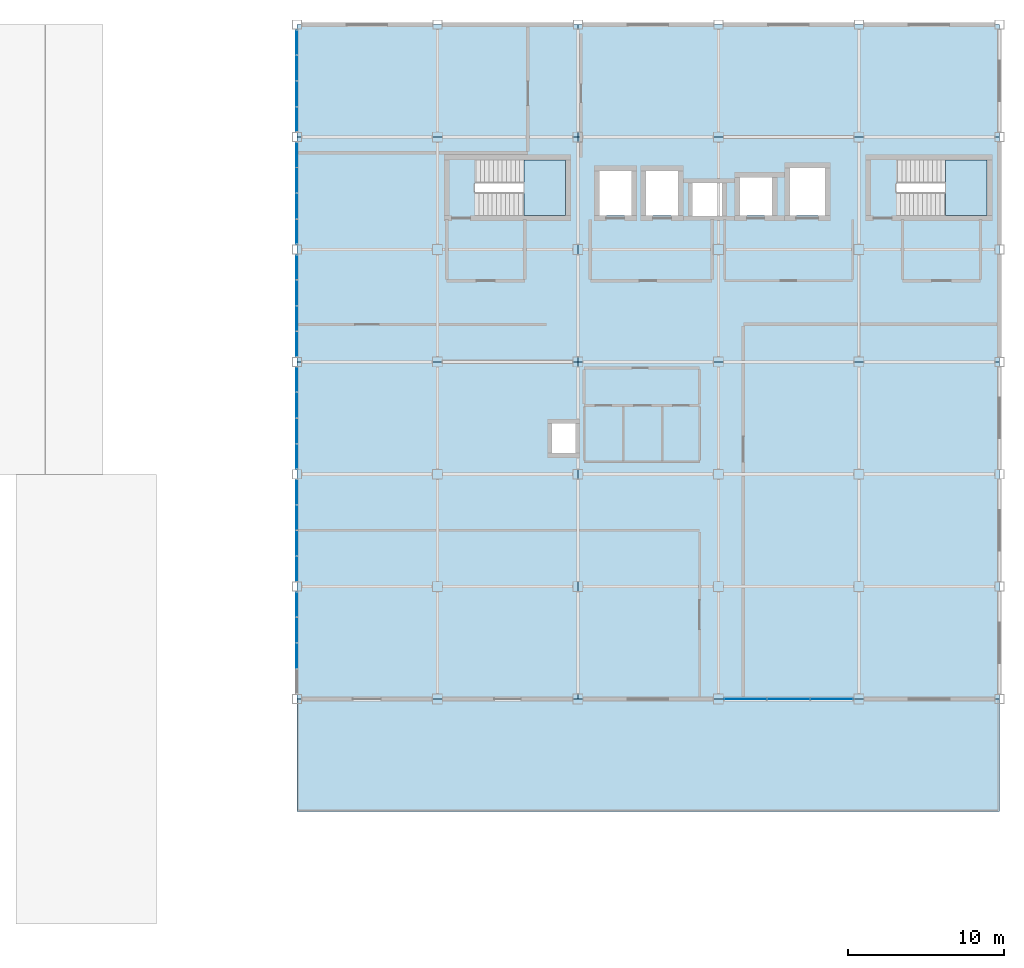
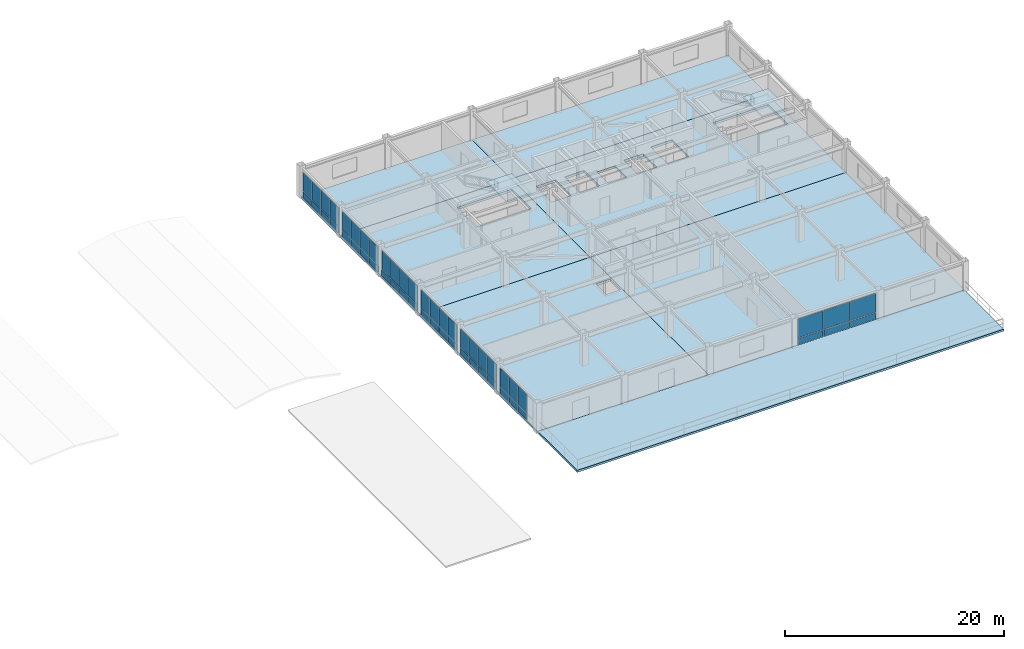
# One storey, part 25 of 34: 52 plates, 9 slabs, 9 elements without a shape of their own.
"""IFC4 building model written with IfcOpenShell, lengths in metres."""

import ifcopenshell
import ifcopenshell.guid

model = None  # the IFC model being written
_history = None  # IfcOwnerHistory: only IFC2X3 demands one
_inside = {}  # id of a spatial element -> (the spatial element, [elements in it])
_under = {}  # id of a project, library or spatial element -> (it, [spatial elements below it])
_declared = {}  # id of a project -> (the project, [libraries it declares])
_typed = {}  # id of a type object -> (the type object, [elements of that type])
_made_of = {}  # id of a material, layer set ... -> (it, [elements and type objects made of it])


def new_model(schema):
    """Start an empty IFC model of exactly this schema.

    Asked for "IFC4X3", IfcOpenShell would pick the latest addendum, in which some entities
    have other attributes; the version numbers below select the first issue.
    IFC2X3 requires an IfcOwnerHistory on every rooted entity: one is made here for all.
    """
    global model, _history
    if schema == "IFC4X3":
        model = ifcopenshell.file(schema_version=(4, 3, 0, 0))
    else:
        model = ifcopenshell.file(schema=schema)
    _inside.clear()
    _under.clear()
    _declared.clear()
    _typed.clear()
    _made_of.clear()
    _history = None
    if model.schema == "IFC2X3":
        org = make("IfcOrganization", Name="unknown")
        user = make(
            "IfcPersonAndOrganization",
            ThePerson=make("IfcPerson", FamilyName="unknown"),
            TheOrganization=org,
        )
        app = make(
            "IfcApplication",
            ApplicationDeveloper=org,
            Version="unknown",
            ApplicationFullName="unknown",
            ApplicationIdentifier="unknown",
        )
        _history = make(
            "IfcOwnerHistory",
            OwningUser=user,
            OwningApplication=app,
            ChangeAction="ADDED",
            CreationDate=0,
        )
    return model


def make(cls, **values):
    """One entity of the class cls with the attributes given. An attribute that is None is left unset."""
    return model.create_entity(
        cls, **{name: value for name, value in values.items() if value is not None}
    )


def rooted(cls, **values):
    """An entity with a GlobalId (a new one), such as an element, a storey or a relation."""
    return make(cls, GlobalId=ifcopenshell.guid.new(), OwnerHistory=_history, **values)


def si_unit(unit_type, name, prefix=None):
    """IfcSIUnit, for example si_unit("LENGTHUNIT", "METRE", prefix="MILLI")."""
    return make("IfcSIUnit", UnitType=unit_type, Prefix=prefix, Name=name)


def assignment(units):
    """IfcUnitAssignment: the units of a project."""
    return None if units is None else make("IfcUnitAssignment", Units=units)


def point(xyz):
    """IfcCartesianPoint."""
    return None if xyz is None else make("IfcCartesianPoint", Coordinates=xyz)


def direction(xyz):
    """IfcDirection."""
    return None if xyz is None else make("IfcDirection", DirectionRatios=xyz)


def frame(location, z_axis=None, x_axis=None):
    """IfcAxis2Placement3D, a coordinate frame: its origin and axes. An axis left out is left unset."""
    return make(
        "IfcAxis2Placement3D",
        Location=point(location),
        Axis=direction(z_axis),
        RefDirection=direction(x_axis),
    )


def frame_2d(location, x_axis=None):
    """IfcAxis2Placement2D, a coordinate frame in the plane: its origin and x axis."""
    return make(
        "IfcAxis2Placement2D", Location=point(location), RefDirection=direction(x_axis)
    )


def origin():
    """The frame at (0, 0, 0) with its axes left unset."""
    return frame((0.0, 0.0, 0.0))


def origin_2d():
    """The frame at (0, 0) in the plane with its x axis left unset."""
    return frame_2d((0.0, 0.0))


def place(relative_to, where):
    """IfcLocalPlacement: puts the frame where relative to a parent placement (None: the world)."""
    return make(
        "IfcLocalPlacement", PlacementRelTo=relative_to, RelativePlacement=where
    )


def context(
    kind, dimensions, precision=None, world=None, true_north=None, identifier=None
):
    """IfcGeometricRepresentationContext, for example the 3D "Model" context."""
    return make(
        "IfcGeometricRepresentationContext",
        ContextIdentifier=identifier,
        ContextType=kind,
        CoordinateSpaceDimension=dimensions,
        Precision=precision,
        WorldCoordinateSystem=world,
        TrueNorth=true_north,
    )


def subcontext(parent, identifier, kind, view, scale=None):
    """IfcGeometricRepresentationSubContext, for example "Body" below "Model"."""
    return make(
        "IfcGeometricRepresentationSubContext",
        ContextIdentifier=identifier,
        ContextType=kind,
        ParentContext=parent,
        TargetScale=scale,
        TargetView=view,
    )


def project(units=None, contexts=None):
    """IfcProject with its units and contexts."""
    return rooted(
        "IfcProject",
        Name="project",
        RepresentationContexts=contexts,
        UnitsInContext=assignment(units),
    )


def spatial(cls, under=None, at=None, **own):
    """A site, building, storey or space (cls), placed at a placement, below another one or the project."""
    s = rooted(cls, ObjectPlacement=at, **own)
    if under is not None:
        _under.setdefault(under.id(), (under, []))[1].append(s)
    return s


def polyline(points):
    """IfcPolyline through the points."""
    return make("IfcPolyline", Points=[point(p) for p in points])


def profile(cls, at=None, kind="AREA", **sizes):
    """A parametric profile (cls). Its sizes go by their IFC names, for example OverallWidth=200.0."""
    return make(cls, ProfileType=kind, Position=at, **sizes)


def rectangle(**sizes):
    """IfcRectangleProfileDef."""
    return profile("IfcRectangleProfileDef", **sizes)


def outline(outer, holes=None, kind="AREA"):
    """IfcArbitraryClosedProfileDef: a profile drawn as a closed curve; with holes, ...WithVoids."""
    if holes is None:
        return make("IfcArbitraryClosedProfileDef", ProfileType=kind, OuterCurve=outer)
    return make(
        "IfcArbitraryProfileDefWithVoids",
        ProfileType=kind,
        OuterCurve=outer,
        InnerCurves=holes,
    )


def extrude(swept, where, along, depth):
    """IfcExtrudedAreaSolid: the profile swept, set in the frame where, extruded along a direction by depth."""
    return make(
        "IfcExtrudedAreaSolid",
        SweptArea=swept,
        Position=where,
        ExtrudedDirection=direction(along),
        Depth=depth,
    )


def shape(context_of_items, identifier, shape_type, items):
    """IfcShapeRepresentation: the items that make up one representation, for example the "Body"."""
    return make(
        "IfcShapeRepresentation",
        ContextOfItems=context_of_items,
        RepresentationIdentifier=identifier,
        RepresentationType=shape_type,
        Items=items,
    )


def material(Name=None, Category=None):
    """IfcMaterial."""
    return make("IfcMaterial", Name=Name, Category=Category)


def layer(
    of_material, thickness, ventilated=None, Name=None, Category=None, Priority=None
):
    """IfcMaterialLayer: one layer of a wall or slab, of a material (None: an air gap)."""
    return make(
        "IfcMaterialLayer",
        Material=of_material,
        LayerThickness=thickness,
        IsVentilated=ventilated,
        Name=Name,
        Category=Category,
        Priority=Priority,
    )


def layer_set(layers, Name=None):
    """IfcMaterialLayerSet."""
    return make("IfcMaterialLayerSet", MaterialLayers=layers, LayerSetName=Name)


def made_of(thing, what):
    """Note that an element or type object is made of a material, layer set ...; save() writes the relation."""
    if what is not None:
        _made_of.setdefault(what.id(), (what, []))[1].append(thing)
    return thing


def type_object(cls, material=None, **own):
    """A type object (cls), such as IfcWallType, which elements share."""
    return made_of(rooted(cls, **own), material)


def element(
    cls,
    number,
    at=None,
    inside=None,
    cuts=None,
    type_object=None,
    material=None,
    context=None,
    identifier="Body",
    shape_type=None,
    held_by="IfcProductDefinitionShape",
    body=None,
    shapes=None,
    **own,
):
    """One element of the class cls, such as IfcWall. Its Tag is "e" and its number.

    at: its placement. inside: the storey or other place that contains it. cuts: it is an
    opening in that element (IfcRelVoidsElement). A single representation is given by context,
    identifier, shape_type and body (its items); several are given by shapes. held_by: the class
    of the entity that holds the representations. save() writes the other relations.
    """
    e = rooted(cls, Tag="e%d" % number, ObjectPlacement=at, **own)
    if body is not None:
        shapes = [shape(context, identifier, shape_type, body)]
    if shapes is not None:
        e.Representation = make(held_by, Representations=shapes)
    if inside is not None:
        _inside.setdefault(inside.id(), (inside, []))[1].append(e)
    if cuts is not None:
        rooted(
            "IfcRelVoidsElement", RelatingBuildingElement=cuts, RelatedOpeningElement=e
        )
    if type_object is not None:
        _typed.setdefault(type_object.id(), (type_object, []))[1].append(e)
    return made_of(e, material)


def aggregate(whole, parts):
    """IfcRelAggregates: a whole, such as a stair, and the parts it consists of."""
    return rooted("IfcRelAggregates", RelatingObject=whole, RelatedObjects=parts)


def save(model, path):
    """Write the relations noted so far, then the file.

    IfcRelAggregates (storeys below a building ...), IfcRelContainedInSpatialStructure (elements
    in a storey), IfcRelDefinesByType, IfcRelAssociatesMaterial and IfcRelDeclares: one each for
    every whole, place, type object, material and project.
    """
    for whole, parts in _under.values():
        aggregate(whole, parts)
    for where, things in _inside.values():
        rooted(
            "IfcRelContainedInSpatialStructure",
            RelatedElements=things,
            RelatingStructure=where,
        )
    for kind, things in _typed.values():
        rooted("IfcRelDefinesByType", RelatedObjects=things, RelatingType=kind)
    for what, things in _made_of.values():
        rooted("IfcRelAssociatesMaterial", RelatedObjects=things, RelatingMaterial=what)
    for by, libraries in _declared.values():
        rooted("IfcRelDeclares", RelatingContext=by, RelatedDefinitions=libraries)
    model.write(path)


model = new_model("IFC4")

# Units and contexts
model_context = context("Model", 3, precision=1e-05, world=origin(), true_north=direction((0.0, 1.0)))
body_context = subcontext(model_context, "Body", "Model", "MODEL_VIEW")
ifc_project = project(units=[si_unit("LENGTHUNIT", "METRE"), si_unit("AREAUNIT", "SQUARE_METRE"), si_unit("VOLUMEUNIT", "CUBIC_METRE"), si_unit("PLANEANGLEUNIT", "RADIAN"), si_unit("MASSUNIT", "GRAM", prefix="KILO")], contexts=[model_context])

# Site, building, storey
site_placement = place(None, origin())
site = spatial("IfcSite", under=ifc_project, at=site_placement, CompositionType="ELEMENT")
building_placement = place(site_placement, origin())
building = spatial("IfcBuilding", under=site, at=building_placement, Name="Kazanami Central Library", CompositionType="ELEMENT")
storey_placement = place(building_placement, frame((0.0, 0.0, 17.0)))
storey = spatial("IfcBuildingStorey", under=building, at=storey_placement, Name="L05", CompositionType="ELEMENT", Elevation=17.0)

# Curtain wall, plates
ifc_material_1 = material(Name="Acid-Etched Low-E Laminated Glass", Category="glass")
curtain_wall_type_1 = type_object("IfcCurtainWallType", Name="CW-8350x2970-M275", PredefinedType="USERDEFINED", material=ifc_material_1)
curtain_wall_1_placement = place(storey_placement, origin())
curtain_wall_1 = element("IfcCurtainWall", 1, at=curtain_wall_1_placement, inside=storey, type_object=curtain_wall_type_1, Name="Unitised Curtain Wall CW-49 L05 S-H-16", ObjectType="UNITISED CURTAIN WALL", PredefinedType="USERDEFINED")
ifc_layer_1 = layer(ifc_material_1, 0.035888671875, Name="Acid-Etched Low-E Laminated Glass")
ifc_layer_set_1 = layer_set([ifc_layer_1], Name="Acid-Etched Low-E Laminated Glass")
plate_type_1 = type_object("IfcPlateType", Name="PLT-CW-P1", PredefinedType="CURTAIN_PANEL", material=ifc_layer_set_1)
plate_1_placement = place(storey_placement, frame((145.73291015625, 50.39990234375, 0.8125), z_axis=(0.0, 0.0, 1.0), x_axis=(1.0, 0.0, 0.0)))
plate_1 = element("IfcPlate", 2, at=plate_1_placement, type_object=plate_type_1, Name="CW-49 panel 1.2", PredefinedType="CURTAIN_PANEL", context=body_context, shape_type="SweptSolid", body=[
    extrude(rectangle(XDim=2.685791015625, YDim=0.035888671875, at=origin_2d()), origin(), (0.0, 0.0, 1.0), 2.092529296875),
])
plate_2_placement = place(storey_placement, frame((148.5, 50.39990234375, 0.8125), z_axis=(0.0, 0.0, 1.0), x_axis=(1.0, 0.0, 0.0)))
plate_2 = element("IfcPlate", 3, at=plate_2_placement, type_object=plate_type_1, Name="CW-49 panel 2.2", PredefinedType="CURTAIN_PANEL", context=body_context, shape_type="SweptSolid", body=[
    extrude(rectangle(XDim=2.71826171875, YDim=0.035888671875, at=origin_2d()), origin(), (0.0, 0.0, 1.0), 2.092529296875),
])
plate_3_placement = place(storey_placement, frame((151.26708984375, 50.39990234375, 0.8125), z_axis=(0.0, 0.0, 1.0), x_axis=(1.0, 0.0, 0.0)))
plate_3 = element("IfcPlate", 4, at=plate_3_placement, type_object=plate_type_1, Name="CW-49 panel 3.2", PredefinedType="CURTAIN_PANEL", context=body_context, shape_type="SweptSolid", body=[
    extrude(rectangle(XDim=2.685791015625, YDim=0.035888671875, at=origin_2d()), origin(), (0.0, 0.0, 1.0), 2.092529296875),
])

curtain_wall_type_2 = type_object("IfcCurtainWallType", Name="CW-6600x2960-M180", PredefinedType="USERDEFINED", material=ifc_material_1)
curtain_wall_2_placement = place(storey_placement, origin())
curtain_wall_2 = element("IfcCurtainWall", 5, at=curtain_wall_2_placement, inside=storey, type_object=curtain_wall_type_2, Name="Covered Link Bridge Curtain Wall CW-53 L05 W-14-07", ObjectType="UNITISED CURTAIN WALL", PredefinedType="USERDEFINED")
ifc_material_2 = material(Name="Low-E Insulated Triple Glass", Category="glass")
ifc_layer_2 = layer(ifc_material_2, 0.0400390625, Name="Low-E Insulated Triple Glass")
ifc_layer_set_2 = layer_set([ifc_layer_2], Name="Low-E Insulated Triple Glass")
plate_type_2 = type_object("IfcPlateType", Name="PLT-CW-P3", PredefinedType="CURTAIN_PANEL", material=ifc_layer_set_2)
plate_4_placement = place(storey_placement, frame((117.0, 53.175048828125, 0.81005859375), z_axis=(0.0, 0.0, 1.0), x_axis=(0.0, 1.0, 0.0)))
plate_4 = element("IfcPlate", 6, at=plate_4_placement, type_object=plate_type_2, Name="CW-53 panel 2.2", PredefinedType="CURTAIN_PANEL", context=body_context, shape_type="SweptSolid", body=[
    extrude(rectangle(XDim=1.590087890625, YDim=0.0400390625, at=origin_2d()), origin(), (0.0, 0.0, 1.0), 2.090087890625),
])
plate_5_placement = place(storey_placement, frame((117.0, 54.824951171875, 0.81005859375), z_axis=(0.0, 0.0, 1.0), x_axis=(0.0, 1.0, 0.0)))
plate_5 = element("IfcPlate", 7, at=plate_5_placement, type_object=plate_type_2, Name="CW-53 panel 3.2", PredefinedType="CURTAIN_PANEL", context=body_context, shape_type="SweptSolid", body=[
    extrude(rectangle(XDim=1.590087890625, YDim=0.0400390625, at=origin_2d()), origin(), (0.0, 0.0, 1.0), 2.090087890625),
])
plate_6_placement = place(storey_placement, frame((117.0, 56.4599609375, 0.81005859375), z_axis=(0.0, 0.0, 1.0), x_axis=(0.0, 1.0, 0.0)))
plate_6 = element("IfcPlate", 8, at=plate_6_placement, type_object=plate_type_2, Name="CW-53 panel 4.2", PredefinedType="CURTAIN_PANEL", context=body_context, shape_type="SweptSolid", body=[
    extrude(rectangle(XDim=1.56005859375, YDim=0.0400390625, at=origin_2d()), origin(), (0.0, 0.0, 1.0), 2.090087890625),
])

curtain_wall_type_3 = type_object("IfcCurtainWallType", Name="CW-6600x2940-M180", PredefinedType="USERDEFINED", material=ifc_material_1)
curtain_wall_3_placement = place(storey_placement, origin())
curtain_wall_3 = element("IfcCurtainWall", 9, at=curtain_wall_3_placement, inside=storey, type_object=curtain_wall_type_3, Name="Covered Link Bridge Curtain Wall CW-54 L05 W-14-08", ObjectType="UNITISED CURTAIN WALL", PredefinedType="USERDEFINED")
plate_7_placement = place(storey_placement, frame((117.0, 58.739990234375, 0.81005859375), z_axis=(0.0, 0.0, 1.0), x_axis=(0.0, 1.0, 0.0)))
plate_7 = element("IfcPlate", 10, at=plate_7_placement, type_object=plate_type_2, Name="CW-54 panel 1.2", PredefinedType="CURTAIN_PANEL", context=body_context, shape_type="SweptSolid", body=[
    extrude(rectangle(XDim=1.56005859375, YDim=0.0400390625, at=origin_2d()), origin(), (0.0, 0.0, 1.0), 2.070068359375),
])
plate_8_placement = place(storey_placement, frame((117.0, 60.375, 0.81005859375), z_axis=(0.0, 0.0, 1.0), x_axis=(0.0, 1.0, 0.0)))
plate_8 = element("IfcPlate", 11, at=plate_8_placement, type_object=plate_type_2, Name="CW-54 panel 2.2", PredefinedType="CURTAIN_PANEL", context=body_context, shape_type="SweptSolid", body=[
    extrude(rectangle(XDim=1.590087890625, YDim=0.0400390625, at=origin_2d()), origin(), (0.0, 0.0, 1.0), 2.070068359375),
])
plate_9_placement = place(storey_placement, frame((117.0, 62.02490234375, 0.81005859375), z_axis=(0.0, 0.0, 1.0), x_axis=(0.0, 1.0, 0.0)))
plate_9 = element("IfcPlate", 12, at=plate_9_placement, type_object=plate_type_2, Name="CW-54 panel 3.2", PredefinedType="CURTAIN_PANEL", context=body_context, shape_type="SweptSolid", body=[
    extrude(rectangle(XDim=1.590087890625, YDim=0.0400390625, at=origin_2d()), origin(), (0.0, 0.0, 1.0), 2.070068359375),
])
plate_10_placement = place(storey_placement, frame((117.0, 63.659912109375, 0.81005859375), z_axis=(0.0, 0.0, 1.0), x_axis=(0.0, 1.0, 0.0)))
plate_10 = element("IfcPlate", 13, at=plate_10_placement, type_object=plate_type_2, Name="CW-54 panel 4.2", PredefinedType="CURTAIN_PANEL", context=body_context, shape_type="SweptSolid", body=[
    extrude(rectangle(XDim=1.56005859375, YDim=0.0400390625, at=origin_2d()), origin(), (0.0, 0.0, 1.0), 2.070068359375),
])

curtain_wall_4_placement = place(storey_placement, origin())
curtain_wall_4 = element("IfcCurtainWall", 14, at=curtain_wall_4_placement, inside=storey, type_object=curtain_wall_type_3, Name="Covered Link Bridge Curtain Wall CW-54 L05 W-14-09", ObjectType="UNITISED CURTAIN WALL", PredefinedType="USERDEFINED")
plate_11_placement = place(storey_placement, frame((117.0, 65.93994140625, 0.81005859375), z_axis=(0.0, 0.0, 1.0), x_axis=(0.0, 1.0, 0.0)))
plate_11 = element("IfcPlate", 15, at=plate_11_placement, type_object=plate_type_2, Name="CW-54 panel 1.2", PredefinedType="CURTAIN_PANEL", context=body_context, shape_type="SweptSolid", body=[
    extrude(rectangle(XDim=1.56005859375, YDim=0.0400390625, at=origin_2d()), origin(), (0.0, 0.0, 1.0), 2.070068359375),
])
plate_12_placement = place(storey_placement, frame((117.0, 67.574951171875, 0.81005859375), z_axis=(0.0, 0.0, 1.0), x_axis=(0.0, 1.0, 0.0)))
plate_12 = element("IfcPlate", 16, at=plate_12_placement, type_object=plate_type_2, Name="CW-54 panel 2.2", PredefinedType="CURTAIN_PANEL", context=body_context, shape_type="SweptSolid", body=[
    extrude(rectangle(XDim=1.590087890625, YDim=0.0400390625, at=origin_2d()), origin(), (0.0, 0.0, 1.0), 2.070068359375),
])
plate_13_placement = place(storey_placement, frame((117.0, 69.22509765625, 0.81005859375), z_axis=(0.0, 0.0, 1.0), x_axis=(0.0, 1.0, 0.0)))
plate_13 = element("IfcPlate", 17, at=plate_13_placement, type_object=plate_type_2, Name="CW-54 panel 3.2", PredefinedType="CURTAIN_PANEL", context=body_context, shape_type="SweptSolid", body=[
    extrude(rectangle(XDim=1.590087890625, YDim=0.0400390625, at=origin_2d()), origin(), (0.0, 0.0, 1.0), 2.070068359375),
])
plate_14_placement = place(storey_placement, frame((117.0, 70.860107421875, 0.81005859375), z_axis=(0.0, 0.0, 1.0), x_axis=(0.0, 1.0, 0.0)))
plate_14 = element("IfcPlate", 18, at=plate_14_placement, type_object=plate_type_2, Name="CW-54 panel 4.2", PredefinedType="CURTAIN_PANEL", context=body_context, shape_type="SweptSolid", body=[
    extrude(rectangle(XDim=1.56005859375, YDim=0.0400390625, at=origin_2d()), origin(), (0.0, 0.0, 1.0), 2.070068359375),
])

curtain_wall_5_placement = place(storey_placement, origin())
curtain_wall_5 = element("IfcCurtainWall", 19, at=curtain_wall_5_placement, inside=storey, type_object=curtain_wall_type_3, Name="Covered Link Bridge Curtain Wall CW-54 L05 W-14-10", ObjectType="UNITISED CURTAIN WALL", PredefinedType="USERDEFINED")
plate_15_placement = place(storey_placement, frame((117.0, 73.139892578125, 0.81005859375), z_axis=(0.0, 0.0, 1.0), x_axis=(0.0, 1.0, 0.0)))
plate_15 = element("IfcPlate", 20, at=plate_15_placement, type_object=plate_type_2, Name="CW-54 panel 1.2", PredefinedType="CURTAIN_PANEL", context=body_context, shape_type="SweptSolid", body=[
    extrude(rectangle(XDim=1.56005859375, YDim=0.0400390625, at=origin_2d()), origin(), (0.0, 0.0, 1.0), 2.070068359375),
])
plate_16_placement = place(storey_placement, frame((117.0, 74.77490234375, 0.81005859375), z_axis=(0.0, 0.0, 1.0), x_axis=(0.0, 1.0, 0.0)))
plate_16 = element("IfcPlate", 21, at=plate_16_placement, type_object=plate_type_2, Name="CW-54 panel 2.2", PredefinedType="CURTAIN_PANEL", context=body_context, shape_type="SweptSolid", body=[
    extrude(rectangle(XDim=1.590087890625, YDim=0.0400390625, at=origin_2d()), origin(), (0.0, 0.0, 1.0), 2.070068359375),
])
plate_17_placement = place(storey_placement, frame((117.0, 76.425048828125, 0.81005859375), z_axis=(0.0, 0.0, 1.0), x_axis=(0.0, 1.0, 0.0)))
plate_17 = element("IfcPlate", 22, at=plate_17_placement, type_object=plate_type_2, Name="CW-54 panel 3.2", PredefinedType="CURTAIN_PANEL", context=body_context, shape_type="SweptSolid", body=[
    extrude(rectangle(XDim=1.590087890625, YDim=0.0400390625, at=origin_2d()), origin(), (0.0, 0.0, 1.0), 2.070068359375),
])
plate_18_placement = place(storey_placement, frame((117.0, 78.06005859375, 0.81005859375), z_axis=(0.0, 0.0, 1.0), x_axis=(0.0, 1.0, 0.0)))
plate_18 = element("IfcPlate", 23, at=plate_18_placement, type_object=plate_type_2, Name="CW-54 panel 4.2", PredefinedType="CURTAIN_PANEL", context=body_context, shape_type="SweptSolid", body=[
    extrude(rectangle(XDim=1.56005859375, YDim=0.0400390625, at=origin_2d()), origin(), (0.0, 0.0, 1.0), 2.070068359375),
])

curtain_wall_6_placement = place(storey_placement, origin())
curtain_wall_6 = element("IfcCurtainWall", 24, at=curtain_wall_6_placement, inside=storey, type_object=curtain_wall_type_3, Name="Covered Link Bridge Curtain Wall CW-54 L05 W-14-11", ObjectType="UNITISED CURTAIN WALL", PredefinedType="USERDEFINED")
plate_19_placement = place(storey_placement, frame((117.0, 80.340087890625, 0.81005859375), z_axis=(0.0, 0.0, 1.0), x_axis=(0.0, 1.0, 0.0)))
plate_19 = element("IfcPlate", 25, at=plate_19_placement, type_object=plate_type_2, Name="CW-54 panel 1.2", PredefinedType="CURTAIN_PANEL", context=body_context, shape_type="SweptSolid", body=[
    extrude(rectangle(XDim=1.56005859375, YDim=0.0400390625, at=origin_2d()), origin(), (0.0, 0.0, 1.0), 2.070068359375),
])
plate_20_placement = place(storey_placement, frame((117.0, 81.97509765625, 0.81005859375), z_axis=(0.0, 0.0, 1.0), x_axis=(0.0, 1.0, 0.0)))
plate_20 = element("IfcPlate", 26, at=plate_20_placement, type_object=plate_type_2, Name="CW-54 panel 2.2", PredefinedType="CURTAIN_PANEL", context=body_context, shape_type="SweptSolid", body=[
    extrude(rectangle(XDim=1.590087890625, YDim=0.0400390625, at=origin_2d()), origin(), (0.0, 0.0, 1.0), 2.070068359375),
])
plate_21_placement = place(storey_placement, frame((117.0, 83.625, 0.81005859375), z_axis=(0.0, 0.0, 1.0), x_axis=(0.0, 1.0, 0.0)))
plate_21 = element("IfcPlate", 27, at=plate_21_placement, type_object=plate_type_2, Name="CW-54 panel 3.2", PredefinedType="CURTAIN_PANEL", context=body_context, shape_type="SweptSolid", body=[
    extrude(rectangle(XDim=1.590087890625, YDim=0.0400390625, at=origin_2d()), origin(), (0.0, 0.0, 1.0), 2.070068359375),
])
plate_22_placement = place(storey_placement, frame((117.0, 85.260009765625, 0.81005859375), z_axis=(0.0, 0.0, 1.0), x_axis=(0.0, 1.0, 0.0)))
plate_22 = element("IfcPlate", 28, at=plate_22_placement, type_object=plate_type_2, Name="CW-54 panel 4.2", PredefinedType="CURTAIN_PANEL", context=body_context, shape_type="SweptSolid", body=[
    extrude(rectangle(XDim=1.56005859375, YDim=0.0400390625, at=origin_2d()), origin(), (0.0, 0.0, 1.0), 2.070068359375),
])

curtain_wall_7_placement = place(storey_placement, origin())
curtain_wall_7 = element("IfcCurtainWall", 29, at=curtain_wall_7_placement, inside=storey, type_object=curtain_wall_type_3, Name="Covered Link Bridge Curtain Wall CW-54 L05 W-14-12", ObjectType="UNITISED CURTAIN WALL", PredefinedType="USERDEFINED")
plate_23_placement = place(storey_placement, frame((117.0, 87.5400390625, 0.81005859375), z_axis=(0.0, 0.0, 1.0), x_axis=(0.0, 1.0, 0.0)))
plate_23 = element("IfcPlate", 30, at=plate_23_placement, type_object=plate_type_2, Name="CW-54 panel 1.2", PredefinedType="CURTAIN_PANEL", context=body_context, shape_type="SweptSolid", body=[
    extrude(rectangle(XDim=1.56005859375, YDim=0.0400390625, at=origin_2d()), origin(), (0.0, 0.0, 1.0), 2.070068359375),
])
plate_24_placement = place(storey_placement, frame((117.0, 89.175048828125, 0.81005859375), z_axis=(0.0, 0.0, 1.0), x_axis=(0.0, 1.0, 0.0)))
plate_24 = element("IfcPlate", 31, at=plate_24_placement, type_object=plate_type_2, Name="CW-54 panel 2.2", PredefinedType="CURTAIN_PANEL", context=body_context, shape_type="SweptSolid", body=[
    extrude(rectangle(XDim=1.590087890625, YDim=0.0400390625, at=origin_2d()), origin(), (0.0, 0.0, 1.0), 2.070068359375),
])
plate_25_placement = place(storey_placement, frame((117.0, 90.824951171875, 0.81005859375), z_axis=(0.0, 0.0, 1.0), x_axis=(0.0, 1.0, 0.0)))
plate_25 = element("IfcPlate", 32, at=plate_25_placement, type_object=plate_type_2, Name="CW-54 panel 3.2", PredefinedType="CURTAIN_PANEL", context=body_context, shape_type="SweptSolid", body=[
    extrude(rectangle(XDim=1.590087890625, YDim=0.0400390625, at=origin_2d()), origin(), (0.0, 0.0, 1.0), 2.070068359375),
])
plate_26_placement = place(storey_placement, frame((117.0, 92.4599609375, 0.81005859375), z_axis=(0.0, 0.0, 1.0), x_axis=(0.0, 1.0, 0.0)))
plate_26 = element("IfcPlate", 33, at=plate_26_placement, type_object=plate_type_2, Name="CW-54 panel 4.2", PredefinedType="CURTAIN_PANEL", context=body_context, shape_type="SweptSolid", body=[
    extrude(rectangle(XDim=1.56005859375, YDim=0.0400390625, at=origin_2d()), origin(), (0.0, 0.0, 1.0), 2.070068359375),
])

# Plate
ifc_material_3 = material(Name="Anodised Aluminium A5052-H32", Category="aluminium")
ifc_layer_3 = layer(ifc_material_3, 0.052001953125, Name="Anodised Aluminium A5052-H32")
ifc_layer_set_3 = layer_set([ifc_layer_3], Name="Anodised Aluminium A5052-H32")
plate_type_3 = type_object("IfcPlateType", Name="PLT-CW-SP2", PredefinedType="CURTAIN_PANEL", material=ifc_layer_set_3)
plate_27_placement = place(storey_placement, frame((145.73291015625, 50.39990234375, 0.06494140625), z_axis=(0.0, 0.0, 1.0), x_axis=(1.0, 0.0, 0.0)))
plate_27 = element("IfcPlate", 34, at=plate_27_placement, type_object=plate_type_3, Name="CW-49 panel 1.1", PredefinedType="CURTAIN_PANEL", context=body_context, shape_type="SweptSolid", body=[
    extrude(rectangle(XDim=2.685791015625, YDim=0.052001953125, at=origin_2d()), origin(), (0.0, 0.0, 1.0), 0.6826171875),
])

plate_28_placement = place(storey_placement, frame((148.5, 50.39990234375, 0.06494140625), z_axis=(0.0, 0.0, 1.0), x_axis=(1.0, 0.0, 0.0)))
plate_28 = element("IfcPlate", 35, at=plate_28_placement, type_object=plate_type_3, Name="CW-49 panel 2.1", PredefinedType="CURTAIN_PANEL", context=body_context, shape_type="SweptSolid", body=[
    extrude(rectangle(XDim=2.71826171875, YDim=0.052001953125, at=origin_2d()), origin(), (0.0, 0.0, 1.0), 0.6826171875),
])

plate_29_placement = place(storey_placement, frame((151.26708984375, 50.39990234375, 0.06494140625), z_axis=(0.0, 0.0, 1.0), x_axis=(1.0, 0.0, 0.0)))
plate_29 = element("IfcPlate", 36, at=plate_29_placement, type_object=plate_type_3, Name="CW-49 panel 3.1", PredefinedType="CURTAIN_PANEL", context=body_context, shape_type="SweptSolid", body=[
    extrude(rectangle(XDim=2.685791015625, YDim=0.052001953125, at=origin_2d()), origin(), (0.0, 0.0, 1.0), 0.6826171875),
])

aggregate(curtain_wall_1, [plate_27, plate_1, plate_28, plate_2, plate_29, plate_3])

plate_30_placement = place(storey_placement, frame((117.0, 53.175048828125, 0.06005859375), z_axis=(0.0, 0.0, 1.0), x_axis=(0.0, 1.0, 0.0)))
plate_30 = element("IfcPlate", 37, at=plate_30_placement, type_object=plate_type_3, Name="CW-53 panel 2.1", PredefinedType="CURTAIN_PANEL", context=body_context, shape_type="SweptSolid", body=[
    extrude(rectangle(XDim=1.590087890625, YDim=0.052001953125, at=origin_2d()), origin(), (0.0, 0.0, 1.0), 0.68994140625),
])

plate_31_placement = place(storey_placement, frame((117.0, 54.824951171875, 0.06005859375), z_axis=(0.0, 0.0, 1.0), x_axis=(0.0, 1.0, 0.0)))
plate_31 = element("IfcPlate", 38, at=plate_31_placement, type_object=plate_type_3, Name="CW-53 panel 3.1", PredefinedType="CURTAIN_PANEL", context=body_context, shape_type="SweptSolid", body=[
    extrude(rectangle(XDim=1.590087890625, YDim=0.052001953125, at=origin_2d()), origin(), (0.0, 0.0, 1.0), 0.68994140625),
])

plate_32_placement = place(storey_placement, frame((117.0, 56.4599609375, 0.06005859375), z_axis=(0.0, 0.0, 1.0), x_axis=(0.0, 1.0, 0.0)))
plate_32 = element("IfcPlate", 39, at=plate_32_placement, type_object=plate_type_3, Name="CW-53 panel 4.1", PredefinedType="CURTAIN_PANEL", context=body_context, shape_type="SweptSolid", body=[
    extrude(rectangle(XDim=1.56005859375, YDim=0.052001953125, at=origin_2d()), origin(), (0.0, 0.0, 1.0), 0.68994140625),
])

aggregate(curtain_wall_2, [plate_30, plate_4, plate_31, plate_5, plate_32, plate_6])

plate_33_placement = place(storey_placement, frame((117.0, 58.739990234375, 0.06005859375), z_axis=(0.0, 0.0, 1.0), x_axis=(0.0, 1.0, 0.0)))
plate_33 = element("IfcPlate", 40, at=plate_33_placement, type_object=plate_type_3, Name="CW-54 panel 1.1", PredefinedType="CURTAIN_PANEL", context=body_context, shape_type="SweptSolid", body=[
    extrude(rectangle(XDim=1.56005859375, YDim=0.052001953125, at=origin_2d()), origin(), (0.0, 0.0, 1.0), 0.68994140625),
])

plate_34_placement = place(storey_placement, frame((117.0, 60.375, 0.06005859375), z_axis=(0.0, 0.0, 1.0), x_axis=(0.0, 1.0, 0.0)))
plate_34 = element("IfcPlate", 41, at=plate_34_placement, type_object=plate_type_3, Name="CW-54 panel 2.1", PredefinedType="CURTAIN_PANEL", context=body_context, shape_type="SweptSolid", body=[
    extrude(rectangle(XDim=1.590087890625, YDim=0.052001953125, at=origin_2d()), origin(), (0.0, 0.0, 1.0), 0.68994140625),
])

plate_35_placement = place(storey_placement, frame((117.0, 62.02490234375, 0.06005859375), z_axis=(0.0, 0.0, 1.0), x_axis=(0.0, 1.0, 0.0)))
plate_35 = element("IfcPlate", 42, at=plate_35_placement, type_object=plate_type_3, Name="CW-54 panel 3.1", PredefinedType="CURTAIN_PANEL", context=body_context, shape_type="SweptSolid", body=[
    extrude(rectangle(XDim=1.590087890625, YDim=0.052001953125, at=origin_2d()), origin(), (0.0, 0.0, 1.0), 0.68994140625),
])

plate_36_placement = place(storey_placement, frame((117.0, 63.659912109375, 0.06005859375), z_axis=(0.0, 0.0, 1.0), x_axis=(0.0, 1.0, 0.0)))
plate_36 = element("IfcPlate", 43, at=plate_36_placement, type_object=plate_type_3, Name="CW-54 panel 4.1", PredefinedType="CURTAIN_PANEL", context=body_context, shape_type="SweptSolid", body=[
    extrude(rectangle(XDim=1.56005859375, YDim=0.052001953125, at=origin_2d()), origin(), (0.0, 0.0, 1.0), 0.68994140625),
])

aggregate(curtain_wall_3, [plate_33, plate_7, plate_34, plate_8, plate_35, plate_9, plate_36, plate_10])

plate_37_placement = place(storey_placement, frame((117.0, 65.93994140625, 0.06005859375), z_axis=(0.0, 0.0, 1.0), x_axis=(0.0, 1.0, 0.0)))
plate_37 = element("IfcPlate", 44, at=plate_37_placement, type_object=plate_type_3, Name="CW-54 panel 1.1", PredefinedType="CURTAIN_PANEL", context=body_context, shape_type="SweptSolid", body=[
    extrude(rectangle(XDim=1.56005859375, YDim=0.052001953125, at=origin_2d()), origin(), (0.0, 0.0, 1.0), 0.68994140625),
])

plate_38_placement = place(storey_placement, frame((117.0, 67.574951171875, 0.06005859375), z_axis=(0.0, 0.0, 1.0), x_axis=(0.0, 1.0, 0.0)))
plate_38 = element("IfcPlate", 45, at=plate_38_placement, type_object=plate_type_3, Name="CW-54 panel 2.1", PredefinedType="CURTAIN_PANEL", context=body_context, shape_type="SweptSolid", body=[
    extrude(rectangle(XDim=1.590087890625, YDim=0.052001953125, at=origin_2d()), origin(), (0.0, 0.0, 1.0), 0.68994140625),
])

plate_39_placement = place(storey_placement, frame((117.0, 69.22509765625, 0.06005859375), z_axis=(0.0, 0.0, 1.0), x_axis=(0.0, 1.0, 0.0)))
plate_39 = element("IfcPlate", 46, at=plate_39_placement, type_object=plate_type_3, Name="CW-54 panel 3.1", PredefinedType="CURTAIN_PANEL", context=body_context, shape_type="SweptSolid", body=[
    extrude(rectangle(XDim=1.590087890625, YDim=0.052001953125, at=origin_2d()), origin(), (0.0, 0.0, 1.0), 0.68994140625),
])

plate_40_placement = place(storey_placement, frame((117.0, 70.860107421875, 0.06005859375), z_axis=(0.0, 0.0, 1.0), x_axis=(0.0, 1.0, 0.0)))
plate_40 = element("IfcPlate", 47, at=plate_40_placement, type_object=plate_type_3, Name="CW-54 panel 4.1", PredefinedType="CURTAIN_PANEL", context=body_context, shape_type="SweptSolid", body=[
    extrude(rectangle(XDim=1.56005859375, YDim=0.052001953125, at=origin_2d()), origin(), (0.0, 0.0, 1.0), 0.68994140625),
])

aggregate(curtain_wall_4, [plate_37, plate_11, plate_38, plate_12, plate_39, plate_13, plate_40, plate_14])

plate_41_placement = place(storey_placement, frame((117.0, 73.139892578125, 0.06005859375), z_axis=(0.0, 0.0, 1.0), x_axis=(0.0, 1.0, 0.0)))
plate_41 = element("IfcPlate", 48, at=plate_41_placement, type_object=plate_type_3, Name="CW-54 panel 1.1", PredefinedType="CURTAIN_PANEL", context=body_context, shape_type="SweptSolid", body=[
    extrude(rectangle(XDim=1.56005859375, YDim=0.052001953125, at=origin_2d()), origin(), (0.0, 0.0, 1.0), 0.68994140625),
])

plate_42_placement = place(storey_placement, frame((117.0, 74.77490234375, 0.06005859375), z_axis=(0.0, 0.0, 1.0), x_axis=(0.0, 1.0, 0.0)))
plate_42 = element("IfcPlate", 49, at=plate_42_placement, type_object=plate_type_3, Name="CW-54 panel 2.1", PredefinedType="CURTAIN_PANEL", context=body_context, shape_type="SweptSolid", body=[
    extrude(rectangle(XDim=1.590087890625, YDim=0.052001953125, at=origin_2d()), origin(), (0.0, 0.0, 1.0), 0.68994140625),
])

plate_43_placement = place(storey_placement, frame((117.0, 76.425048828125, 0.06005859375), z_axis=(0.0, 0.0, 1.0), x_axis=(0.0, 1.0, 0.0)))
plate_43 = element("IfcPlate", 50, at=plate_43_placement, type_object=plate_type_3, Name="CW-54 panel 3.1", PredefinedType="CURTAIN_PANEL", context=body_context, shape_type="SweptSolid", body=[
    extrude(rectangle(XDim=1.590087890625, YDim=0.052001953125, at=origin_2d()), origin(), (0.0, 0.0, 1.0), 0.68994140625),
])

plate_44_placement = place(storey_placement, frame((117.0, 78.06005859375, 0.06005859375), z_axis=(0.0, 0.0, 1.0), x_axis=(0.0, 1.0, 0.0)))
plate_44 = element("IfcPlate", 51, at=plate_44_placement, type_object=plate_type_3, Name="CW-54 panel 4.1", PredefinedType="CURTAIN_PANEL", context=body_context, shape_type="SweptSolid", body=[
    extrude(rectangle(XDim=1.56005859375, YDim=0.052001953125, at=origin_2d()), origin(), (0.0, 0.0, 1.0), 0.68994140625),
])

aggregate(curtain_wall_5, [plate_41, plate_15, plate_42, plate_16, plate_43, plate_17, plate_44, plate_18])

plate_45_placement = place(storey_placement, frame((117.0, 80.340087890625, 0.06005859375), z_axis=(0.0, 0.0, 1.0), x_axis=(0.0, 1.0, 0.0)))
plate_45 = element("IfcPlate", 52, at=plate_45_placement, type_object=plate_type_3, Name="CW-54 panel 1.1", PredefinedType="CURTAIN_PANEL", context=body_context, shape_type="SweptSolid", body=[
    extrude(rectangle(XDim=1.56005859375, YDim=0.052001953125, at=origin_2d()), origin(), (0.0, 0.0, 1.0), 0.68994140625),
])

plate_46_placement = place(storey_placement, frame((117.0, 81.97509765625, 0.06005859375), z_axis=(0.0, 0.0, 1.0), x_axis=(0.0, 1.0, 0.0)))
plate_46 = element("IfcPlate", 53, at=plate_46_placement, type_object=plate_type_3, Name="CW-54 panel 2.1", PredefinedType="CURTAIN_PANEL", context=body_context, shape_type="SweptSolid", body=[
    extrude(rectangle(XDim=1.590087890625, YDim=0.052001953125, at=origin_2d()), origin(), (0.0, 0.0, 1.0), 0.68994140625),
])

plate_47_placement = place(storey_placement, frame((117.0, 83.625, 0.06005859375), z_axis=(0.0, 0.0, 1.0), x_axis=(0.0, 1.0, 0.0)))
plate_47 = element("IfcPlate", 54, at=plate_47_placement, type_object=plate_type_3, Name="CW-54 panel 3.1", PredefinedType="CURTAIN_PANEL", context=body_context, shape_type="SweptSolid", body=[
    extrude(rectangle(XDim=1.590087890625, YDim=0.052001953125, at=origin_2d()), origin(), (0.0, 0.0, 1.0), 0.68994140625),
])

plate_48_placement = place(storey_placement, frame((117.0, 85.260009765625, 0.06005859375), z_axis=(0.0, 0.0, 1.0), x_axis=(0.0, 1.0, 0.0)))
plate_48 = element("IfcPlate", 55, at=plate_48_placement, type_object=plate_type_3, Name="CW-54 panel 4.1", PredefinedType="CURTAIN_PANEL", context=body_context, shape_type="SweptSolid", body=[
    extrude(rectangle(XDim=1.56005859375, YDim=0.052001953125, at=origin_2d()), origin(), (0.0, 0.0, 1.0), 0.68994140625),
])

aggregate(curtain_wall_6, [plate_45, plate_19, plate_46, plate_20, plate_47, plate_21, plate_48, plate_22])

plate_49_placement = place(storey_placement, frame((117.0, 87.5400390625, 0.06005859375), z_axis=(0.0, 0.0, 1.0), x_axis=(0.0, 1.0, 0.0)))
plate_49 = element("IfcPlate", 56, at=plate_49_placement, type_object=plate_type_3, Name="CW-54 panel 1.1", PredefinedType="CURTAIN_PANEL", context=body_context, shape_type="SweptSolid", body=[
    extrude(rectangle(XDim=1.56005859375, YDim=0.052001953125, at=origin_2d()), origin(), (0.0, 0.0, 1.0), 0.68994140625),
])

plate_50_placement = place(storey_placement, frame((117.0, 89.175048828125, 0.06005859375), z_axis=(0.0, 0.0, 1.0), x_axis=(0.0, 1.0, 0.0)))
plate_50 = element("IfcPlate", 57, at=plate_50_placement, type_object=plate_type_3, Name="CW-54 panel 2.1", PredefinedType="CURTAIN_PANEL", context=body_context, shape_type="SweptSolid", body=[
    extrude(rectangle(XDim=1.590087890625, YDim=0.052001953125, at=origin_2d()), origin(), (0.0, 0.0, 1.0), 0.68994140625),
])

plate_51_placement = place(storey_placement, frame((117.0, 90.824951171875, 0.06005859375), z_axis=(0.0, 0.0, 1.0), x_axis=(0.0, 1.0, 0.0)))
plate_51 = element("IfcPlate", 58, at=plate_51_placement, type_object=plate_type_3, Name="CW-54 panel 3.1", PredefinedType="CURTAIN_PANEL", context=body_context, shape_type="SweptSolid", body=[
    extrude(rectangle(XDim=1.590087890625, YDim=0.052001953125, at=origin_2d()), origin(), (0.0, 0.0, 1.0), 0.68994140625),
])

plate_52_placement = place(storey_placement, frame((117.0, 92.4599609375, 0.06005859375), z_axis=(0.0, 0.0, 1.0), x_axis=(0.0, 1.0, 0.0)))
plate_52 = element("IfcPlate", 59, at=plate_52_placement, type_object=plate_type_3, Name="CW-54 panel 4.1", PredefinedType="CURTAIN_PANEL", context=body_context, shape_type="SweptSolid", body=[
    extrude(rectangle(XDim=1.56005859375, YDim=0.052001953125, at=origin_2d()), origin(), (0.0, 0.0, 1.0), 0.68994140625),
])

aggregate(curtain_wall_7, [plate_49, plate_23, plate_50, plate_24, plate_51, plate_25, plate_52, plate_26])

# Slabs
ifc_material_4 = material(Name="Concrete Fc36 (36 MPa)", Category="concrete")
ifc_layer_4 = layer(ifc_material_4, 0.260009765625, Name="Concrete Fc36 (36 MPa)")
ifc_layer_set_4 = layer_set([ifc_layer_4], Name="Concrete Fc36 (36 MPa)")
slab_type_1 = type_object("IfcSlabType", Name="SLB-FLR-260", PredefinedType="FLOOR", material=ifc_layer_set_4)
slab_1_placement = place(storey_placement, frame((0.0, 0.0, -0.260009765625)))
element("IfcSlab", 60, at=slab_1_placement, inside=storey, type_object=slab_type_1, Name="Composite Floor Slab L05 V2-MID Zone 7", PredefinedType="FLOOR", context=body_context, shape_type="SweptSolid", body=[
    extrude(outline(polyline([(117.0, 50.39990234375), (135.0, 50.39990234375), (135.0, 72.0), (117.0, 72.0), (117.0, 50.39990234375)]), holes=[polyline([(133.35009765625, 66.14990234375), (134.85009765625, 66.14990234375), (134.85009765625, 68.050048828125), (133.35009765625, 68.050048828125), (133.35009765625, 66.14990234375)])]), origin(), (0.0, 0.0, 1.0), 0.260009765625),
])
slab_2_placement = place(storey_placement, frame((0.0, 0.0, -0.260009765625)))
element("IfcSlab", 61, at=slab_2_placement, inside=storey, type_object=slab_type_1, Name="Composite Floor Slab L05 V2-MID Zone 8", PredefinedType="FLOOR", context=body_context, shape_type="SweptSolid", body=[
    extrude(outline(polyline([(117.0, 72.0), (135.0, 72.0), (135.0, 86.39990234375), (117.0, 86.39990234375), (117.0, 72.0)]), holes=[polyline([(128.39990234375, 81.375), (134.22509765625, 81.375), (134.22509765625, 84.925048828125), (128.39990234375, 84.925048828125), (128.39990234375, 81.375)])]), origin(), (0.0, 0.0, 1.0), 0.260009765625),
])
slab_3_placement = place(storey_placement, frame((0.0, 0.0, -0.260009765625)))
element("IfcSlab", 62, at=slab_3_placement, inside=storey, type_object=slab_type_1, Name="Composite Floor Slab L05 V2-MID Zone 9", PredefinedType="FLOOR", context=body_context, shape_type="SweptSolid", body=[
    extrude(outline(polyline([(117.0, 86.39990234375), (135.0, 86.39990234375), (135.0, 93.60009765625), (117.0, 93.60009765625), (117.0, 86.39990234375)])), origin(), (0.0, 0.0, 1.0), 0.260009765625),
])
slab_4_placement = place(storey_placement, frame((0.0, 0.0, -0.260009765625)))
element("IfcSlab", 63, at=slab_4_placement, inside=storey, type_object=slab_type_1, Name="Composite Floor Slab L05 V2-MID Zone 10", PredefinedType="FLOOR", context=body_context, shape_type="SweptSolid", body=[
    extrude(outline(polyline([(135.0, 50.39990234375), (162.0, 50.39990234375), (162.0, 72.0), (135.0, 72.0), (135.0, 50.39990234375)])), origin(), (0.0, 0.0, 1.0), 0.260009765625),
])
slab_5_placement = place(storey_placement, frame((0.0, 0.0, -0.260009765625)))
element("IfcSlab", 64, at=slab_5_placement, inside=storey, type_object=slab_type_1, Name="Composite Floor Slab L05 V2-MID Zone 11", PredefinedType="FLOOR", context=body_context, shape_type="SweptSolid", body=[
    extrude(outline(polyline([(135.0, 72.0), (162.0, 72.0), (162.0, 86.39990234375), (135.0, 86.39990234375), (135.0, 72.0)]), holes=[polyline([(155.39990234375, 81.375), (161.22509765625, 81.375), (161.22509765625, 84.925048828125), (155.39990234375, 84.925048828125), (155.39990234375, 81.375)]), polyline([(136.375, 81.375), (138.425048828125, 81.375), (138.425048828125, 84.22509765625), (136.375, 84.22509765625), (136.375, 81.375)]), polyline([(139.375, 81.375), (141.425048828125, 81.375), (141.425048828125, 84.22509765625), (139.375, 84.22509765625), (139.375, 81.375)]), polyline([(145.375, 81.375), (147.425048828125, 81.375), (147.425048828125, 83.824951171875), (145.375, 83.824951171875), (145.375, 81.375)]), polyline([(148.574951171875, 81.375), (150.824951171875, 81.375), (150.824951171875, 84.425048828125), (148.574951171875, 84.425048828125), (148.574951171875, 81.375)]), polyline([(142.35009765625, 81.35009765625), (144.25, 81.35009765625), (144.25, 83.449951171875), (142.35009765625, 83.449951171875), (142.35009765625, 81.35009765625)])]), origin(), (0.0, 0.0, 1.0), 0.260009765625),
])
slab_6_placement = place(storey_placement, frame((0.0, 0.0, -0.260009765625)))
element("IfcSlab", 65, at=slab_6_placement, inside=storey, type_object=slab_type_1, Name="Composite Floor Slab L05 V2-MID Zone 12", PredefinedType="FLOOR", context=body_context, shape_type="SweptSolid", body=[
    extrude(outline(polyline([(135.0, 86.39990234375), (162.0, 86.39990234375), (162.0, 93.60009765625), (135.0, 93.60009765625), (135.0, 86.39990234375)])), origin(), (0.0, 0.0, 1.0), 0.260009765625),
])

# Stair, slab
stair_type = type_object("IfcStairType", Name="STR-T36", PredefinedType="HALF_TURN_STAIR", material=ifc_material_4)
stair_1_placement = place(storey_placement, origin())
stair_1 = element("IfcStair", 66, at=stair_1_placement, inside=storey, type_object=stair_type, Name="Enclosed Escape Stair ST-01 (L05)", PredefinedType="HALF_TURN_STAIR")
ifc_layer_5 = layer(ifc_material_4, 0.179931640625, Name="Concrete Fc36 (36 MPa)")
ifc_layer_set_5 = layer_set([ifc_layer_5], Name="Concrete Fc36 (36 MPa)")
slab_type_2 = type_object("IfcSlabType", Name="SLB-LND-180", PredefinedType="LANDING", material=ifc_layer_set_5)
slab_7_placement = place(storey_placement, frame((0.0, 0.0, 1.6201171875)))
slab_7 = element("IfcSlab", 67, at=slab_7_placement, type_object=slab_type_2, Name="ST-01 landing 1", PredefinedType="LANDING", context=body_context, shape_type="SweptSolid", body=[
    extrude(outline(polyline([(131.548095703125, 81.375), (134.22509765625, 81.375), (134.22509765625, 84.925048828125), (131.548095703125, 84.925048828125), (131.548095703125, 81.375)])), origin(), (0.0, 0.0, 1.0), 0.179931640625),
])
aggregate(stair_1, [slab_7])

stair_2_placement = place(storey_placement, origin())
stair_2 = element("IfcStair", 68, at=stair_2_placement, inside=storey, type_object=stair_type, Name="Enclosed Escape Stair ST-02 (L05)", PredefinedType="HALF_TURN_STAIR")
slab_8_placement = place(storey_placement, frame((0.0, 0.0, 1.6201171875)))
slab_8 = element("IfcSlab", 69, at=slab_8_placement, type_object=slab_type_2, Name="ST-02 landing 1", PredefinedType="LANDING", context=body_context, shape_type="SweptSolid", body=[
    extrude(outline(polyline([(158.548095703125, 81.375), (161.22509765625, 81.375), (161.22509765625, 84.925048828125), (158.548095703125, 84.925048828125), (158.548095703125, 81.375)])), origin(), (0.0, 0.0, 1.0), 0.179931640625),
])
aggregate(stair_2, [slab_8])

# Slab
ifc_layer_6 = layer(ifc_material_4, 0.22509765625, Name="Concrete Fc36 (36 MPa)")
ifc_layer_set_6 = layer_set([ifc_layer_6], Name="Concrete Fc36 (36 MPa)")
slab_type_3 = type_object("IfcSlabType", Name="SLB-TER-225", PredefinedType="FLOOR", material=ifc_layer_set_6)
slab_9_placement = place(storey_placement, frame((0.0, 0.0, -0.22509765625)))
element("IfcSlab", 70, at=slab_9_placement, inside=storey, type_object=slab_type_3, Name="Closed-Stack South Reading Terrace L05", PredefinedType="FLOOR", context=body_context, shape_type="SweptSolid", body=[
    extrude(outline(polyline([(117.0, 43.199951171875), (162.0, 43.199951171875), (162.0, 50.39990234375), (117.0, 50.39990234375), (117.0, 43.199951171875)])), origin(), (0.0, 0.0, 1.0), 0.22509765625),
])

save(model, "model.ifc")
